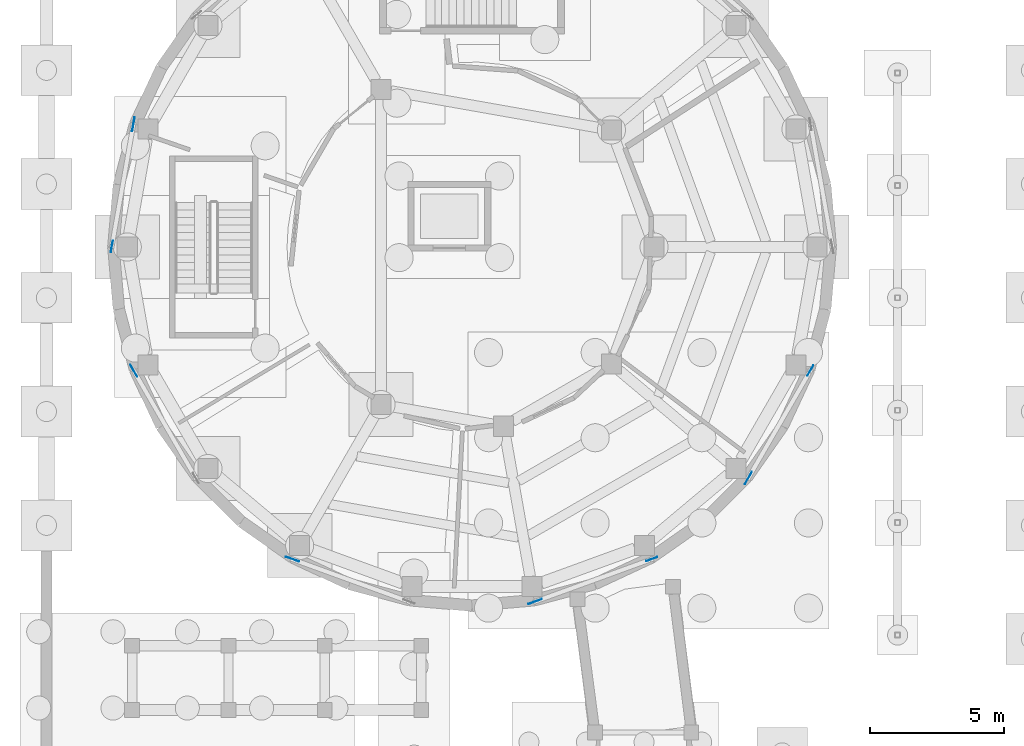
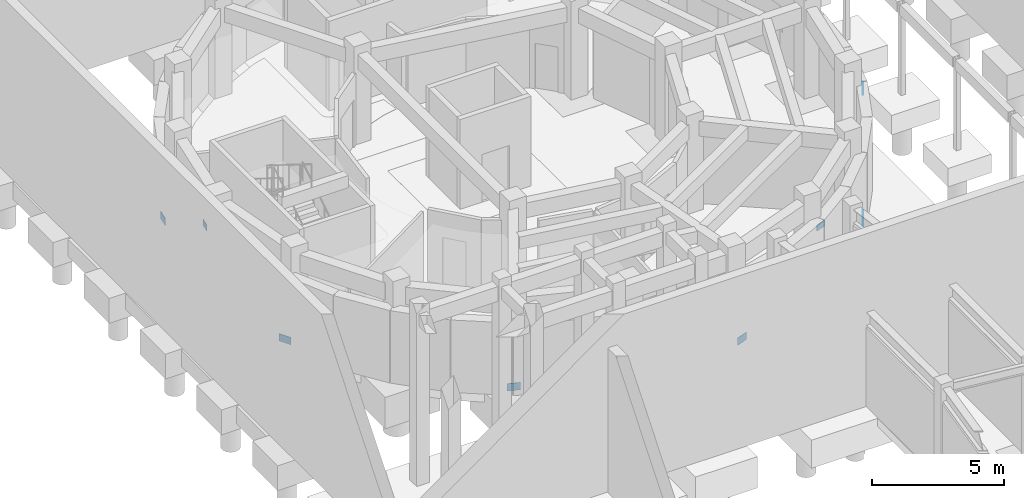
# One storey, part 30 of 57: 8 plates.
"""IFC4 building model written with IfcOpenShell, lengths in metres."""

from ifc_helpers import new_model, si_unit, direction, frame, origin, origin_2d, place, context, subcontext, project, spatial, rectangle, extrude, material, layer, layer_set, type_object, element, save


model = new_model("IFC4")

# Units and contexts
model_context = context("Model", 3, precision=1e-05, world=origin(), true_north=direction((0.0, 1.0)))
body_context = subcontext(model_context, "Body", "Model", "MODEL_VIEW")
ifc_project = project(units=[si_unit("LENGTHUNIT", "METRE"), si_unit("AREAUNIT", "SQUARE_METRE"), si_unit("VOLUMEUNIT", "CUBIC_METRE"), si_unit("PLANEANGLEUNIT", "RADIAN"), si_unit("MASSUNIT", "GRAM", prefix="KILO")], contexts=[model_context])

# Site, building, storey
site_placement = place(None, origin())
site = spatial("IfcSite", under=ifc_project, at=site_placement, CompositionType="ELEMENT")
building_placement = place(site_placement, origin())
building = spatial("IfcBuilding", under=site, at=building_placement, Name="Aldenvaro Health Centre", CompositionType="ELEMENT")
storey_placement = place(building_placement, frame((0.0, 0.0, -4.550048828125)))
storey = spatial("IfcBuildingStorey", under=building, at=storey_placement, Name="B1", CompositionType="ELEMENT", Elevation=-4.550048828125)

# Plates
ifc_material = material(Name="Steel ASTM A572 Grade 50", Category="steel")
ifc_layer_1 = layer(ifc_material, 0.01806640625, Name="Steel ASTM A572 Grade 50", Category="steel")
ifc_layer_set_1 = layer_set([ifc_layer_1], Name="Steel ASTM A572 Grade 50")
plate_type_1 = type_object("IfcPlateType", Name="PLT-GUS-02", PredefinedType="SHEET", material=ifc_layer_set_1)
for number, where, z_axis, x_axis, name in (
    (1, (5.84912109375, 104.083984375, 0.1298828125), (0.0, 0.0, 1.0), (-0.17390599378, -0.984762258277, 0.0), "D4 B1 brace end gusset 9.B"),
    (2, (5.862060546875, 94.87890625, 0.1298828125), (0.0, 0.0, 1.0), (0.499924423123, -0.866069033718, 0.0), "D4 B1 brace end gusset 11.B"),
    (3, (11.7890625, 87.8359375, 0.1298828125), (0.0, 0.0, 1.0), (0.93969859002, -0.342003742543, 0.0), "D4 B1 brace end gusset 13.B"),
    (4, (20.85595703125, 86.2509765625, 0.1298828125), (0.0, 0.0, 1.0), (0.93969859002, 0.342003742543, 0.0), "D4 B1 brace end gusset 15.B"),
    (5, (28.821044921875, 90.864990234375, 0.1298828125), (0.0, 0.0, 1.0), (0.499924423123, 0.866069033718, 0.0), "D4 B1 brace end gusset 17.B"),
):
    element("IfcPlate", number, at=place(storey_placement, frame(where, z_axis=z_axis, x_axis=x_axis)), inside=storey, type_object=plate_type_1, Name=name, PredefinedType="SHEET", context=body_context, shape_type="SweptSolid", body=[
        extrude(rectangle(XDim=0.52001953125, YDim=0.01806640625, at=origin_2d()), origin(), (0.0, 0.0, 1.0), 0.340087890625),
    ])
ifc_layer_2 = layer(ifc_material, 0.01611328125, Name="Steel ASTM A572 Grade 50", Category="steel")
ifc_layer_set_2 = layer_set([ifc_layer_2], Name="Steel ASTM A572 Grade 50")
plate_type_2 = type_object("IfcPlateType", Name="PLT-GUS-03", PredefinedType="SHEET", material=ifc_layer_set_2)
for number, where, z_axis, x_axis, name in (
    (6, (5.04296875, 99.52001953125, 2.908203125), (0.0, 0.0, 1.0), (-0.17390599378, -0.984762258277, 0.0), "D4 B1 brace end gusset 9.T"),
    (7, (25.2109375, 87.8359375, 2.908203125), (0.0, 0.0, 1.0), (0.93969859002, 0.342003742543, 0.0), "D4 B1 brace end gusset 15.T"),
    (8, (31.137939453125, 94.87890625, 2.908203125), (0.0, 0.0, 1.0), (0.499924423123, 0.866069033718, 0.0), "D4 B1 brace end gusset 17.T"),
):
    element("IfcPlate", number, at=place(storey_placement, frame(where, z_axis=z_axis, x_axis=x_axis)), inside=storey, type_object=plate_type_2, Name=name, PredefinedType="SHEET", context=body_context, shape_type="SweptSolid", body=[
        extrude(rectangle(XDim=0.43994140625, YDim=0.01611328125, at=origin_2d()), origin(), (0.0, 0.0, 1.0), 0.280029296875),
    ])

save(model, "model.ifc")
